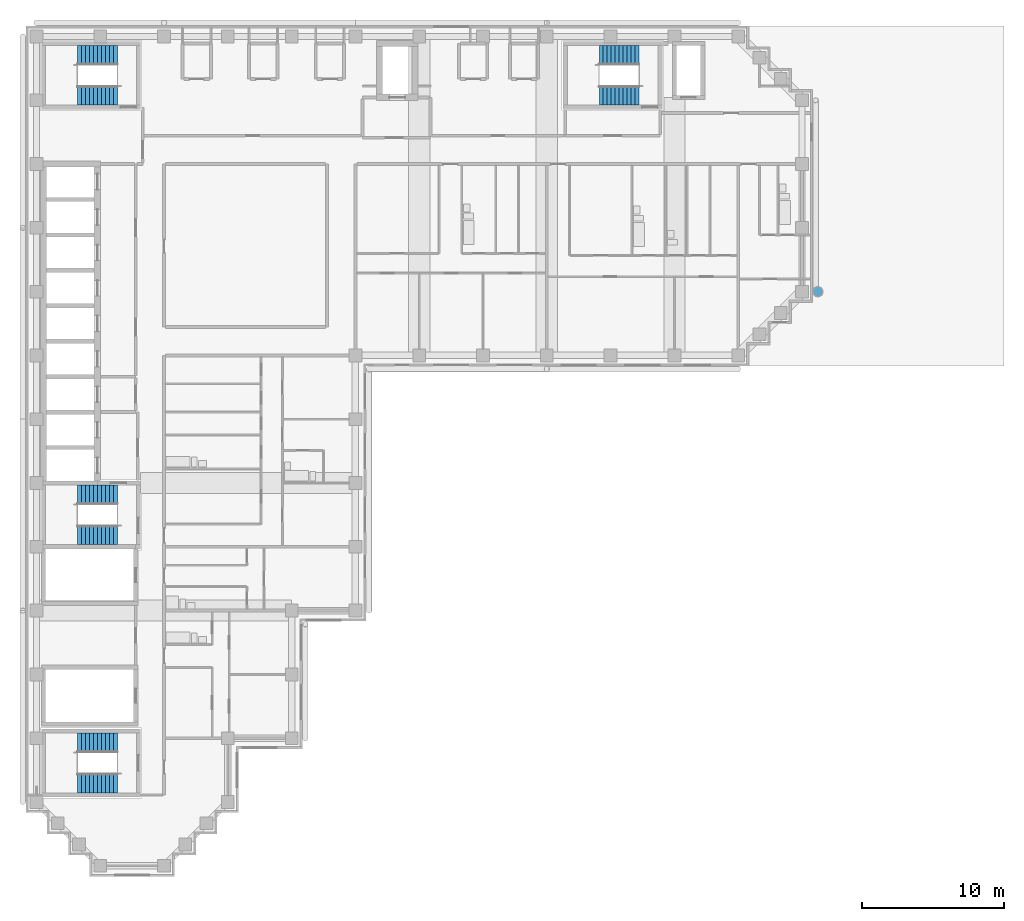
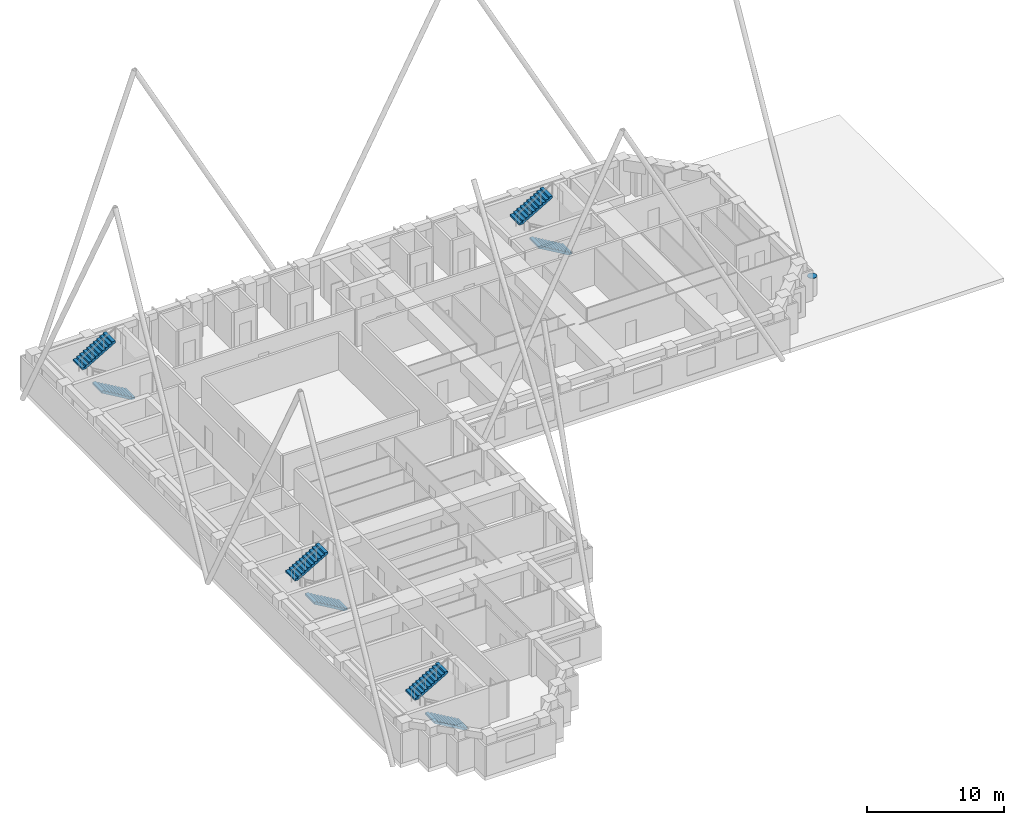
# One storey, part 9 of 11: 8 stair flights, 1 discrete accessory, 4 elements without a shape of their own.
"""IFC4 building model written with IfcOpenShell, lengths in metres."""

from ifc_helpers import new_model, si_unit, direction, frame, origin, origin_2d, place, context, subcontext, project, spatial, polyline, circle, outline, extrude, material, material_profile, profile_set, type_object, element, aggregate, save


model = new_model("IFC4")

# Units and contexts
model_context = context("Model", 3, precision=1e-05, world=origin(), true_north=direction((0.0, 1.0)))
body_context = subcontext(model_context, "Body", "Model", "MODEL_VIEW")
ifc_project = project(units=[si_unit("LENGTHUNIT", "METRE"), si_unit("AREAUNIT", "SQUARE_METRE"), si_unit("VOLUMEUNIT", "CUBIC_METRE"), si_unit("PLANEANGLEUNIT", "RADIAN"), si_unit("MASSUNIT", "GRAM", prefix="KILO")], contexts=[model_context])

# Site, building, storey
site_placement = place(None, origin())
site = spatial("IfcSite", under=ifc_project, at=site_placement, CompositionType="ELEMENT")
building_placement = place(site_placement, origin())
building = spatial("IfcBuilding", under=site, at=building_placement, Name="Firuza Court", CompositionType="ELEMENT")
storey_placement = place(building_placement, frame((0.0, 0.0, 186.199951171875)))
storey = spatial("IfcBuildingStorey", under=building, at=storey_placement, Name="L47", CompositionType="ELEMENT", Elevation=186.199951171875)

# Stair, stair flights
ifc_material_1 = material(Name="Concrete C40/50 precast", Category="concrete")
stair_type = type_object("IfcStairType", Name="Stair 1350 x 3600 2 flights", PredefinedType="HALF_TURN_STAIR", material=ifc_material_1)
stair_1_placement = place(storey_placement, origin())
stair_1 = element("IfcStair", 1, at=stair_1_placement, inside=storey, type_object=stair_type, Name="Stair 1 L47", PredefinedType="HALF_TURN_STAIR")
ifc_material_2 = material(Name="Concrete C40/50 precast", Category="concrete")
stair_flight_type = type_object("IfcStairFlightType", Name="Flight 1350 riser 163.6", PredefinedType="STRAIGHT", material=ifc_material_2)
stair_flight_1_placement = place(storey_placement, frame((42.5, 54.324951171875, 0.0), z_axis=(0.0, 0.0, 1.0), x_axis=(-1.0, 0.0, 0.0)))
stair_flight_1 = element("IfcStairFlight", 2, at=stair_flight_1_placement, type_object=stair_flight_type, Name="S1 flight 1", NumberOfRisers=11, NumberOfTreads=10, PredefinedType="STRAIGHT", RiserHeight=0.163636364, TreadLength=0.28, context=body_context, shape_type="SweptSolid", body=[
    extrude(outline(polyline([(0.0, 0.0), (0.0, 0.16357421875), (0.280029296875, 0.16357421875), (0.280029296875, 0.327392578125), (0.56005859375, 0.327392578125), (0.56005859375, 0.490966796875), (0.840087890625, 0.490966796875), (0.840087890625, 0.654541015625), (1.1201171875, 0.654541015625), (1.1201171875, 0.818115234375), (1.39990234375, 0.818115234375), (1.39990234375, 0.98193359375), (1.679931640625, 0.98193359375), (1.679931640625, 1.1455078125), (1.9599609375, 1.1455078125), (1.9599609375, 1.30908203125), (2.239990234375, 1.30908203125), (2.239990234375, 1.47265625), (2.52001953125, 1.47265625), (2.52001953125, 1.636474609375), (2.800048828125, 1.636474609375), (2.800048828125, 1.800048828125), (2.800048828125, 1.462646484375), (0.297119140625, 0.0), (0.0, 0.0)])), frame((0.0, 0.675048828125, 0.0), z_axis=(0.0, -1.0, 0.0), x_axis=(1.0, 0.0, 0.0)), (0.0, 0.0, 1.0), 1.35009765625),
])
stair_flight_2_placement = place(storey_placement, frame((39.699951171875, 57.175048828125, 1.800048828125), z_axis=(0.0, 0.0, 1.0), x_axis=(1.0, 0.0, 0.0)))
stair_flight_2 = element("IfcStairFlight", 3, at=stair_flight_2_placement, type_object=stair_flight_type, Name="S1 flight 2", NumberOfRisers=11, NumberOfTreads=10, PredefinedType="STRAIGHT", RiserHeight=0.163636364, TreadLength=0.28, context=body_context, shape_type="SweptSolid", body=[
    extrude(outline(polyline([(0.0, 0.0), (0.0, 0.16357421875), (0.280029296875, 0.16357421875), (0.280029296875, 0.327392578125), (0.56005859375, 0.327392578125), (0.56005859375, 0.490966796875), (0.840087890625, 0.490966796875), (0.840087890625, 0.654541015625), (1.1201171875, 0.654541015625), (1.1201171875, 0.818115234375), (1.39990234375, 0.818115234375), (1.39990234375, 0.98193359375), (1.679931640625, 0.98193359375), (1.679931640625, 1.1455078125), (1.9599609375, 1.1455078125), (1.9599609375, 1.30908203125), (2.239990234375, 1.30908203125), (2.239990234375, 1.47265625), (2.52001953125, 1.47265625), (2.52001953125, 1.636474609375), (2.800048828125, 1.636474609375), (2.800048828125, 1.800048828125), (2.800048828125, 1.462646484375), (0.297119140625, 0.0), (0.0, 0.0)])), frame((0.0, 0.675048828125, 0.0), z_axis=(0.0, -1.0, 0.0), x_axis=(1.0, 0.0, 0.0)), (0.0, 0.0, 1.0), 1.35009765625),
])
aggregate(stair_1, [stair_flight_1, stair_flight_2])

stair_2_placement = place(storey_placement, origin())
stair_2 = element("IfcStair", 4, at=stair_2_placement, inside=storey, type_object=stair_type, Name="Stair 2 L47", PredefinedType="HALF_TURN_STAIR")
stair_flight_3_placement = place(storey_placement, frame((5.699951171875, 23.324951171875, 0.0), z_axis=(0.0, 0.0, 1.0), x_axis=(-1.0, 0.0, 0.0)))
stair_flight_3 = element("IfcStairFlight", 5, at=stair_flight_3_placement, type_object=stair_flight_type, Name="S2 flight 1", NumberOfRisers=11, NumberOfTreads=10, PredefinedType="STRAIGHT", RiserHeight=0.163636364, TreadLength=0.28, context=body_context, shape_type="SweptSolid", body=[
    extrude(outline(polyline([(0.0, 0.0), (0.0, 0.16357421875), (0.280029296875, 0.16357421875), (0.280029296875, 0.327392578125), (0.56005859375, 0.327392578125), (0.56005859375, 0.490966796875), (0.840087890625, 0.490966796875), (0.840087890625, 0.654541015625), (1.1201171875, 0.654541015625), (1.1201171875, 0.818115234375), (1.39990234375, 0.818115234375), (1.39990234375, 0.98193359375), (1.679931640625, 0.98193359375), (1.679931640625, 1.1455078125), (1.9599609375, 1.1455078125), (1.9599609375, 1.30908203125), (2.239990234375, 1.30908203125), (2.239990234375, 1.47265625), (2.52001953125, 1.47265625), (2.52001953125, 1.636474609375), (2.800048828125, 1.636474609375), (2.800048828125, 1.800048828125), (2.800048828125, 1.462646484375), (0.297119140625, 0.0), (0.0, 0.0)])), frame((0.0, 0.675048828125, 0.0), z_axis=(0.0, -1.0, 0.0), x_axis=(1.0, 0.0, 0.0)), (0.0, 0.0, 1.0), 1.35009765625),
])
stair_flight_4_placement = place(storey_placement, frame((2.89990234375, 26.175048828125, 1.800048828125), z_axis=(0.0, 0.0, 1.0), x_axis=(1.0, 0.0, 0.0)))
stair_flight_4 = element("IfcStairFlight", 6, at=stair_flight_4_placement, type_object=stair_flight_type, Name="S2 flight 2", NumberOfRisers=11, NumberOfTreads=10, PredefinedType="STRAIGHT", RiserHeight=0.163636364, TreadLength=0.28, context=body_context, shape_type="SweptSolid", body=[
    extrude(outline(polyline([(0.0, 0.0), (0.0, 0.16357421875), (0.280029296875, 0.16357421875), (0.280029296875, 0.327392578125), (0.56005859375, 0.327392578125), (0.56005859375, 0.490966796875), (0.840087890625, 0.490966796875), (0.840087890625, 0.654541015625), (1.1201171875, 0.654541015625), (1.1201171875, 0.818115234375), (1.39990234375, 0.818115234375), (1.39990234375, 0.98193359375), (1.679931640625, 0.98193359375), (1.679931640625, 1.1455078125), (1.9599609375, 1.1455078125), (1.9599609375, 1.30908203125), (2.239990234375, 1.30908203125), (2.239990234375, 1.47265625), (2.52001953125, 1.47265625), (2.52001953125, 1.636474609375), (2.800048828125, 1.636474609375), (2.800048828125, 1.800048828125), (2.800048828125, 1.462646484375), (0.297119140625, 0.0), (0.0, 0.0)])), frame((0.0, 0.675048828125, 0.0), z_axis=(0.0, -1.0, 0.0), x_axis=(1.0, 0.0, 0.0)), (0.0, 0.0, 1.0), 1.35009765625),
])
aggregate(stair_2, [stair_flight_3, stair_flight_4])

stair_3_placement = place(storey_placement, origin())
stair_3 = element("IfcStair", 7, at=stair_3_placement, inside=storey, type_object=stair_type, Name="Stair 3 L47", PredefinedType="HALF_TURN_STAIR")
stair_flight_5_placement = place(storey_placement, frame((5.699951171875, 54.324951171875, 0.0), z_axis=(0.0, 0.0, 1.0), x_axis=(-1.0, 0.0, 0.0)))
stair_flight_5 = element("IfcStairFlight", 8, at=stair_flight_5_placement, type_object=stair_flight_type, Name="S3 flight 1", NumberOfRisers=11, NumberOfTreads=10, PredefinedType="STRAIGHT", RiserHeight=0.163636364, TreadLength=0.28, context=body_context, shape_type="SweptSolid", body=[
    extrude(outline(polyline([(0.0, 0.0), (0.0, 0.16357421875), (0.280029296875, 0.16357421875), (0.280029296875, 0.327392578125), (0.56005859375, 0.327392578125), (0.56005859375, 0.490966796875), (0.840087890625, 0.490966796875), (0.840087890625, 0.654541015625), (1.1201171875, 0.654541015625), (1.1201171875, 0.818115234375), (1.39990234375, 0.818115234375), (1.39990234375, 0.98193359375), (1.679931640625, 0.98193359375), (1.679931640625, 1.1455078125), (1.9599609375, 1.1455078125), (1.9599609375, 1.30908203125), (2.239990234375, 1.30908203125), (2.239990234375, 1.47265625), (2.52001953125, 1.47265625), (2.52001953125, 1.636474609375), (2.800048828125, 1.636474609375), (2.800048828125, 1.800048828125), (2.800048828125, 1.462646484375), (0.297119140625, 0.0), (0.0, 0.0)])), frame((0.0, 0.675048828125, 0.0), z_axis=(0.0, -1.0, 0.0), x_axis=(1.0, 0.0, 0.0)), (0.0, 0.0, 1.0), 1.35009765625),
])
stair_flight_6_placement = place(storey_placement, frame((2.89990234375, 57.175048828125, 1.800048828125), z_axis=(0.0, 0.0, 1.0), x_axis=(1.0, 0.0, 0.0)))
stair_flight_6 = element("IfcStairFlight", 9, at=stair_flight_6_placement, type_object=stair_flight_type, Name="S3 flight 2", NumberOfRisers=11, NumberOfTreads=10, PredefinedType="STRAIGHT", RiserHeight=0.163636364, TreadLength=0.28, context=body_context, shape_type="SweptSolid", body=[
    extrude(outline(polyline([(0.0, 0.0), (0.0, 0.16357421875), (0.280029296875, 0.16357421875), (0.280029296875, 0.327392578125), (0.56005859375, 0.327392578125), (0.56005859375, 0.490966796875), (0.840087890625, 0.490966796875), (0.840087890625, 0.654541015625), (1.1201171875, 0.654541015625), (1.1201171875, 0.818115234375), (1.39990234375, 0.818115234375), (1.39990234375, 0.98193359375), (1.679931640625, 0.98193359375), (1.679931640625, 1.1455078125), (1.9599609375, 1.1455078125), (1.9599609375, 1.30908203125), (2.239990234375, 1.30908203125), (2.239990234375, 1.47265625), (2.52001953125, 1.47265625), (2.52001953125, 1.636474609375), (2.800048828125, 1.636474609375), (2.800048828125, 1.800048828125), (2.800048828125, 1.462646484375), (0.297119140625, 0.0), (0.0, 0.0)])), frame((0.0, 0.675048828125, 0.0), z_axis=(0.0, -1.0, 0.0), x_axis=(1.0, 0.0, 0.0)), (0.0, 0.0, 1.0), 1.35009765625),
])
aggregate(stair_3, [stair_flight_5, stair_flight_6])

stair_4_placement = place(storey_placement, origin())
stair_4 = element("IfcStair", 10, at=stair_4_placement, inside=storey, type_object=stair_type, Name="Stair 5 L47", PredefinedType="HALF_TURN_STAIR")
stair_flight_7_placement = place(storey_placement, frame((5.699951171875, 5.824951171875, 0.0), z_axis=(0.0, 0.0, 1.0), x_axis=(-1.0, 0.0, 0.0)))
stair_flight_7 = element("IfcStairFlight", 11, at=stair_flight_7_placement, type_object=stair_flight_type, Name="S5 flight 1", NumberOfRisers=11, NumberOfTreads=10, PredefinedType="STRAIGHT", RiserHeight=0.163636364, TreadLength=0.28, context=body_context, shape_type="SweptSolid", body=[
    extrude(outline(polyline([(0.0, 0.0), (0.0, 0.16357421875), (0.280029296875, 0.16357421875), (0.280029296875, 0.327392578125), (0.56005859375, 0.327392578125), (0.56005859375, 0.490966796875), (0.840087890625, 0.490966796875), (0.840087890625, 0.654541015625), (1.1201171875, 0.654541015625), (1.1201171875, 0.818115234375), (1.39990234375, 0.818115234375), (1.39990234375, 0.98193359375), (1.679931640625, 0.98193359375), (1.679931640625, 1.1455078125), (1.9599609375, 1.1455078125), (1.9599609375, 1.30908203125), (2.239990234375, 1.30908203125), (2.239990234375, 1.47265625), (2.52001953125, 1.47265625), (2.52001953125, 1.636474609375), (2.800048828125, 1.636474609375), (2.800048828125, 1.800048828125), (2.800048828125, 1.462646484375), (0.297119140625, 0.0), (0.0, 0.0)])), frame((0.0, 0.675048828125, 0.0), z_axis=(0.0, -1.0, 0.0), x_axis=(1.0, 0.0, 0.0)), (0.0, 0.0, 1.0), 1.35009765625),
])
stair_flight_8_placement = place(storey_placement, frame((2.89990234375, 8.675048828125, 1.800048828125), z_axis=(0.0, 0.0, 1.0), x_axis=(1.0, 0.0, 0.0)))
stair_flight_8 = element("IfcStairFlight", 12, at=stair_flight_8_placement, type_object=stair_flight_type, Name="S5 flight 2", NumberOfRisers=11, NumberOfTreads=10, PredefinedType="STRAIGHT", RiserHeight=0.163636364, TreadLength=0.28, context=body_context, shape_type="SweptSolid", body=[
    extrude(outline(polyline([(0.0, 0.0), (0.0, 0.16357421875), (0.280029296875, 0.16357421875), (0.280029296875, 0.327392578125), (0.56005859375, 0.327392578125), (0.56005859375, 0.490966796875), (0.840087890625, 0.490966796875), (0.840087890625, 0.654541015625), (1.1201171875, 0.654541015625), (1.1201171875, 0.818115234375), (1.39990234375, 0.818115234375), (1.39990234375, 0.98193359375), (1.679931640625, 0.98193359375), (1.679931640625, 1.1455078125), (1.9599609375, 1.1455078125), (1.9599609375, 1.30908203125), (2.239990234375, 1.30908203125), (2.239990234375, 1.47265625), (2.52001953125, 1.47265625), (2.52001953125, 1.636474609375), (2.800048828125, 1.636474609375), (2.800048828125, 1.800048828125), (2.800048828125, 1.462646484375), (0.297119140625, 0.0), (0.0, 0.0)])), frame((0.0, 0.675048828125, 0.0), z_axis=(0.0, -1.0, 0.0), x_axis=(1.0, 0.0, 0.0)), (0.0, 0.0, 1.0), 1.35009765625),
])
aggregate(stair_4, [stair_flight_7, stair_flight_8])

# Discrete accessory
ifc_material_3 = material(Name="Steel S355", Category="steel")
ifc_material_profile = material_profile(ifc_material_3, circle(Radius=0.35546875, at=origin_2d()), Name="PL D711")
ifc_profile_set = profile_set([ifc_material_profile], Name="Steel S355")
discrete_accessory_type = type_object("IfcDiscreteAccessoryType", Name="DIAGRID NODE END PLATE", PredefinedType="NOTDEFINED", material=ifc_profile_set)
discrete_accessory_placement = place(storey_placement, frame((55.1201171875, 40.5, 1.60009765625), z_axis=(0.0, 0.0, 1.0), x_axis=(1.0, 0.0, 0.0)))
element("IfcDiscreteAccessory", 13, at=discrete_accessory_placement, inside=storey, type_object=discrete_accessory_type, Name="Diagrid node end plate level L47", PredefinedType="NOTDEFINED", context=body_context, shape_type="SweptSolid", body=[
    extrude(circle(Radius=0.35546875, at=origin_2d()), origin(), (0.0, 0.0, 1.0), 0.030029296875),
])

save(model, "model.ifc")
